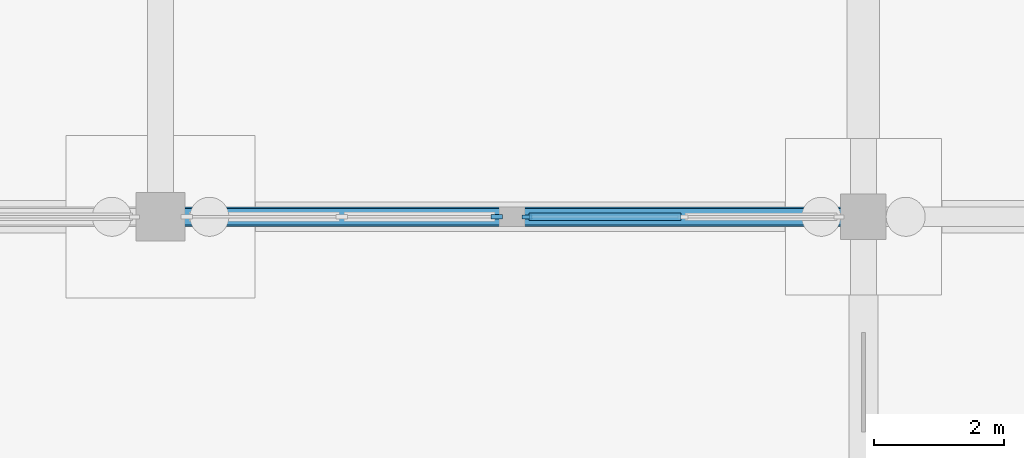
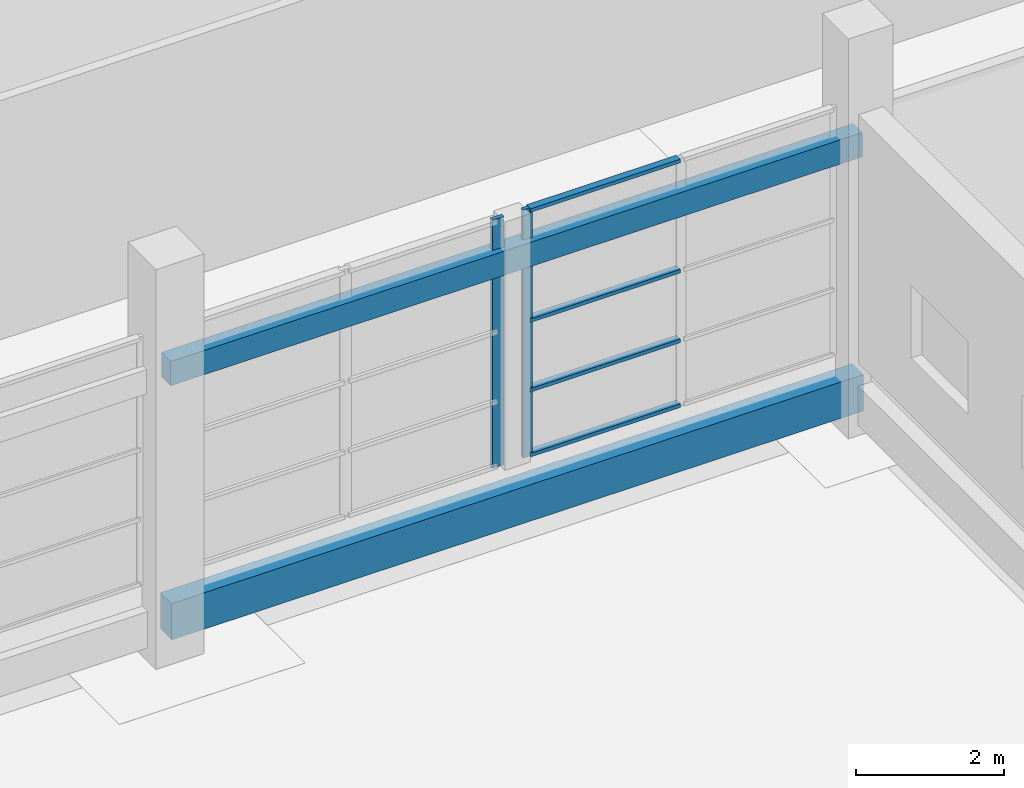
# One storey, part 36 of 138: 6 members, 2 beams, 2 elements without a shape of their own.
"""IFC4 building model written with IfcOpenShell, lengths in metres."""

import ifcopenshell
import ifcopenshell.guid

model = None  # the IFC model being written
_history = None  # IfcOwnerHistory: only IFC2X3 demands one
_inside = {}  # id of a spatial element -> (the spatial element, [elements in it])
_under = {}  # id of a project, library or spatial element -> (it, [spatial elements below it])
_declared = {}  # id of a project -> (the project, [libraries it declares])
_typed = {}  # id of a type object -> (the type object, [elements of that type])
_made_of = {}  # id of a material, layer set ... -> (it, [elements and type objects made of it])


def new_model(schema):
    """Start an empty IFC model of exactly this schema.

    Asked for "IFC4X3", IfcOpenShell would pick the latest addendum, in which some entities
    have other attributes; the version numbers below select the first issue.
    IFC2X3 requires an IfcOwnerHistory on every rooted entity: one is made here for all.
    """
    global model, _history
    if schema == "IFC4X3":
        model = ifcopenshell.file(schema_version=(4, 3, 0, 0))
    else:
        model = ifcopenshell.file(schema=schema)
    _inside.clear()
    _under.clear()
    _declared.clear()
    _typed.clear()
    _made_of.clear()
    _history = None
    if model.schema == "IFC2X3":
        org = make("IfcOrganization", Name="unknown")
        user = make(
            "IfcPersonAndOrganization",
            ThePerson=make("IfcPerson", FamilyName="unknown"),
            TheOrganization=org,
        )
        app = make(
            "IfcApplication",
            ApplicationDeveloper=org,
            Version="unknown",
            ApplicationFullName="unknown",
            ApplicationIdentifier="unknown",
        )
        _history = make(
            "IfcOwnerHistory",
            OwningUser=user,
            OwningApplication=app,
            ChangeAction="ADDED",
            CreationDate=0,
        )
    return model


def make(cls, **values):
    """One entity of the class cls with the attributes given. An attribute that is None is left unset."""
    return model.create_entity(
        cls, **{name: value for name, value in values.items() if value is not None}
    )


def rooted(cls, **values):
    """An entity with a GlobalId (a new one), such as an element, a storey or a relation."""
    return make(cls, GlobalId=ifcopenshell.guid.new(), OwnerHistory=_history, **values)


def si_unit(unit_type, name, prefix=None):
    """IfcSIUnit, for example si_unit("LENGTHUNIT", "METRE", prefix="MILLI")."""
    return make("IfcSIUnit", UnitType=unit_type, Prefix=prefix, Name=name)


def assignment(units):
    """IfcUnitAssignment: the units of a project."""
    return None if units is None else make("IfcUnitAssignment", Units=units)


def point(xyz):
    """IfcCartesianPoint."""
    return None if xyz is None else make("IfcCartesianPoint", Coordinates=xyz)


def direction(xyz):
    """IfcDirection."""
    return None if xyz is None else make("IfcDirection", DirectionRatios=xyz)


def frame(location, z_axis=None, x_axis=None):
    """IfcAxis2Placement3D, a coordinate frame: its origin and axes. An axis left out is left unset."""
    return make(
        "IfcAxis2Placement3D",
        Location=point(location),
        Axis=direction(z_axis),
        RefDirection=direction(x_axis),
    )


def frame_2d(location, x_axis=None):
    """IfcAxis2Placement2D, a coordinate frame in the plane: its origin and x axis."""
    return make(
        "IfcAxis2Placement2D", Location=point(location), RefDirection=direction(x_axis)
    )


def origin():
    """The frame at (0, 0, 0) with its axes left unset."""
    return frame((0.0, 0.0, 0.0))


def origin_2d():
    """The frame at (0, 0) in the plane with its x axis left unset."""
    return frame_2d((0.0, 0.0))


def place(relative_to, where):
    """IfcLocalPlacement: puts the frame where relative to a parent placement (None: the world)."""
    return make(
        "IfcLocalPlacement", PlacementRelTo=relative_to, RelativePlacement=where
    )


def context(
    kind, dimensions, precision=None, world=None, true_north=None, identifier=None
):
    """IfcGeometricRepresentationContext, for example the 3D "Model" context."""
    return make(
        "IfcGeometricRepresentationContext",
        ContextIdentifier=identifier,
        ContextType=kind,
        CoordinateSpaceDimension=dimensions,
        Precision=precision,
        WorldCoordinateSystem=world,
        TrueNorth=true_north,
    )


def subcontext(parent, identifier, kind, view, scale=None):
    """IfcGeometricRepresentationSubContext, for example "Body" below "Model"."""
    return make(
        "IfcGeometricRepresentationSubContext",
        ContextIdentifier=identifier,
        ContextType=kind,
        ParentContext=parent,
        TargetScale=scale,
        TargetView=view,
    )


def project(units=None, contexts=None):
    """IfcProject with its units and contexts."""
    return rooted(
        "IfcProject",
        Name="project",
        RepresentationContexts=contexts,
        UnitsInContext=assignment(units),
    )


def spatial(cls, under=None, at=None, **own):
    """A site, building, storey or space (cls), placed at a placement, below another one or the project."""
    s = rooted(cls, ObjectPlacement=at, **own)
    if under is not None:
        _under.setdefault(under.id(), (under, []))[1].append(s)
    return s


def profile(cls, at=None, kind="AREA", **sizes):
    """A parametric profile (cls). Its sizes go by their IFC names, for example OverallWidth=200.0."""
    return make(cls, ProfileType=kind, Position=at, **sizes)


def rectangle(**sizes):
    """IfcRectangleProfileDef."""
    return profile("IfcRectangleProfileDef", **sizes)


def extrude(swept, where, along, depth):
    """IfcExtrudedAreaSolid: the profile swept, set in the frame where, extruded along a direction by depth."""
    return make(
        "IfcExtrudedAreaSolid",
        SweptArea=swept,
        Position=where,
        ExtrudedDirection=direction(along),
        Depth=depth,
    )


def shape(context_of_items, identifier, shape_type, items):
    """IfcShapeRepresentation: the items that make up one representation, for example the "Body"."""
    return make(
        "IfcShapeRepresentation",
        ContextOfItems=context_of_items,
        RepresentationIdentifier=identifier,
        RepresentationType=shape_type,
        Items=items,
    )


def material(Name=None, Category=None):
    """IfcMaterial."""
    return make("IfcMaterial", Name=Name, Category=Category)


def material_profile(
    of_material, cross_section, Name=None, Category=None, Priority=None
):
    """IfcMaterialProfile: a cross section and its material."""
    return make(
        "IfcMaterialProfile",
        Name=Name,
        Material=of_material,
        Profile=cross_section,
        Priority=Priority,
        Category=Category,
    )


def profile_set(profiles, Name=None, composite=None):
    """IfcMaterialProfileSet."""
    return make(
        "IfcMaterialProfileSet",
        Name=Name,
        MaterialProfiles=profiles,
        CompositeProfile=composite,
    )


def made_of(thing, what):
    """Note that an element or type object is made of a material, layer set ...; save() writes the relation."""
    if what is not None:
        _made_of.setdefault(what.id(), (what, []))[1].append(thing)
    return thing


def type_object(cls, material=None, **own):
    """A type object (cls), such as IfcWallType, which elements share."""
    return made_of(rooted(cls, **own), material)


def element(
    cls,
    number,
    at=None,
    inside=None,
    cuts=None,
    type_object=None,
    material=None,
    context=None,
    identifier="Body",
    shape_type=None,
    held_by="IfcProductDefinitionShape",
    body=None,
    shapes=None,
    **own,
):
    """One element of the class cls, such as IfcWall. Its Tag is "e" and its number.

    at: its placement. inside: the storey or other place that contains it. cuts: it is an
    opening in that element (IfcRelVoidsElement). A single representation is given by context,
    identifier, shape_type and body (its items); several are given by shapes. held_by: the class
    of the entity that holds the representations. save() writes the other relations.
    """
    e = rooted(cls, Tag="e%d" % number, ObjectPlacement=at, **own)
    if body is not None:
        shapes = [shape(context, identifier, shape_type, body)]
    if shapes is not None:
        e.Representation = make(held_by, Representations=shapes)
    if inside is not None:
        _inside.setdefault(inside.id(), (inside, []))[1].append(e)
    if cuts is not None:
        rooted(
            "IfcRelVoidsElement", RelatingBuildingElement=cuts, RelatedOpeningElement=e
        )
    if type_object is not None:
        _typed.setdefault(type_object.id(), (type_object, []))[1].append(e)
    return made_of(e, material)


def aggregate(whole, parts):
    """IfcRelAggregates: a whole, such as a stair, and the parts it consists of."""
    return rooted("IfcRelAggregates", RelatingObject=whole, RelatedObjects=parts)


def save(model, path):
    """Write the relations noted so far, then the file.

    IfcRelAggregates (storeys below a building ...), IfcRelContainedInSpatialStructure (elements
    in a storey), IfcRelDefinesByType, IfcRelAssociatesMaterial and IfcRelDeclares: one each for
    every whole, place, type object, material and project.
    """
    for whole, parts in _under.values():
        aggregate(whole, parts)
    for where, things in _inside.values():
        rooted(
            "IfcRelContainedInSpatialStructure",
            RelatedElements=things,
            RelatingStructure=where,
        )
    for kind, things in _typed.values():
        rooted("IfcRelDefinesByType", RelatedObjects=things, RelatingType=kind)
    for what, things in _made_of.values():
        rooted("IfcRelAssociatesMaterial", RelatedObjects=things, RelatingMaterial=what)
    for by, libraries in _declared.values():
        rooted("IfcRelDeclares", RelatingContext=by, RelatedDefinitions=libraries)
    model.write(path)


model = new_model("IFC4")

# Units and contexts
model_context = context("Model", 3, precision=1e-05, world=origin(), true_north=direction((0.0, 1.0)))
body_context = subcontext(model_context, "Body", "Model", "MODEL_VIEW")
ifc_project = project(units=[si_unit("LENGTHUNIT", "METRE"), si_unit("AREAUNIT", "SQUARE_METRE"), si_unit("VOLUMEUNIT", "CUBIC_METRE"), si_unit("PLANEANGLEUNIT", "RADIAN"), si_unit("MASSUNIT", "GRAM", prefix="KILO")], contexts=[model_context])

# Site, building, storey
site_placement = place(None, origin())
site = spatial("IfcSite", under=ifc_project, at=site_placement, CompositionType="ELEMENT")
building_placement = place(site_placement, origin())
building = spatial("IfcBuilding", under=site, at=building_placement, Name="Zwinboog Wholesale Market", CompositionType="ELEMENT")
storey_placement = place(building_placement, origin())
storey = spatial("IfcBuildingStorey", under=building, at=storey_placement, Name="L00", CompositionType="ELEMENT", Elevation=0.0)

# Beams
ifc_material_1 = material(Name="Precast concrete C45/55", Category="concrete")
ifc_material_profile_1 = material_profile(ifc_material_1, rectangle(XDim=0.300048828125, YDim=0.60009765625, at=origin_2d()), Name="PC 300x600")
ifc_profile_set_1 = profile_set([ifc_material_profile_1], Name="Precast concrete C45/55")
beam_type_1 = type_object("IfcBeamType", Name="BT-09", PredefinedType="SPANDREL", material=ifc_profile_set_1)
beam_1_placement = place(storey_placement, frame((118.800048828125, 43.199951171875, -0.679931640625), z_axis=(1.0, 0.0, 0.0), x_axis=(0.0, 1.0, 0.0)))
element("IfcBeam", 1, at=beam_1_placement, inside=storey, type_object=beam_type_1, Name="SP-02 (BMG-L00-1188-0432-0064)", PredefinedType="SPANDREL", context=body_context, shape_type="SweptSolid", body=[
    extrude(rectangle(XDim=0.300048828125, YDim=0.60009765625, at=origin_2d()), origin(), (0.0, 0.0, 1.0), 10.800048828125),
])
ifc_material_profile_2 = material_profile(ifc_material_1, rectangle(XDim=0.25, YDim=0.39990234375, at=origin_2d()), Name="PC 250x400")
ifc_profile_set_2 = profile_set([ifc_material_profile_2], Name="Precast concrete C45/55")
beam_type_2 = type_object("IfcBeamType", Name="BT-11", PredefinedType="LINTEL", material=ifc_profile_set_2)
beam_2_placement = place(storey_placement, frame((118.800048828125, 43.199951171875, 3.39990234375), z_axis=(1.0, 0.0, 0.0), x_axis=(0.0, 1.0, 0.0)))
element("IfcBeam", 2, at=beam_2_placement, inside=storey, type_object=beam_type_2, Name="BL-01 (BMG-L00-1188-0432-1056)", PredefinedType="LINTEL", context=body_context, shape_type="SweptSolid", body=[
    extrude(rectangle(XDim=0.25, YDim=0.39990234375, at=origin_2d()), origin(), (0.0, 0.0, 1.0), 10.800048828125),
])

# Curtain wall, member
ifc_material_2 = material(Name="Aluminium thermally broken curtain wall", Category="aluminium")
curtain_wall_type_1 = type_object("IfcCurtainWallType", Name="CWT-STALL-18", PredefinedType="USERDEFINED", material=ifc_material_2)
curtain_wall_1_placement = place(storey_placement, origin())
curtain_wall_1 = element("IfcCurtainWall", 3, at=curtain_wall_1_placement, inside=storey, type_object=curtain_wall_type_1, Name="CW-01 (CW-L00-043)", ObjectType="STOREFRONT_GLAZING", PredefinedType="USERDEFINED")
ifc_material_3 = material(Name="Aluminium EN AW-6060", Category="aluminium")
ifc_material_profile_3 = material_profile(ifc_material_3, rectangle(XDim=0.06494140625, YDim=0.179931640625, at=origin_2d()), Name="AL 65x180")
ifc_profile_set_3 = profile_set([ifc_material_profile_3], Name="Aluminium EN AW-6060")
member_type_1 = type_object("IfcMemberType", Name="CWM-65x180", PredefinedType="MULLION", material=ifc_profile_set_3)
member_1_placement = place(storey_placement, frame((123.967529296875, 43.199951171875, 0.0), z_axis=(0.0, 0.0, 1.0), x_axis=(0.0, 1.0, 0.0)))
member_1 = element("IfcMember", 4, at=member_1_placement, type_object=member_type_1, Name="CW-01 mullion 3", PredefinedType="MULLION", context=body_context, shape_type="SweptSolid", body=[
    extrude(rectangle(XDim=0.06494140625, YDim=0.179931640625, at=origin_2d()), origin(), (0.0, 0.0, 1.0), 4.097900390625),
])
aggregate(curtain_wall_1, [member_1])

# Curtain wall, members
curtain_wall_type_2 = type_object("IfcCurtainWallType", Name="CWT-STALL-20", PredefinedType="USERDEFINED", material=ifc_material_2)
curtain_wall_2_placement = place(storey_placement, origin())
curtain_wall_2 = element("IfcCurtainWall", 5, at=curtain_wall_2_placement, inside=storey, type_object=curtain_wall_type_2, Name="CW-02 (CW-L00-044)", ObjectType="STOREFRONT_GLAZING", PredefinedType="USERDEFINED")
ifc_material_profile_4 = material_profile(ifc_material_3, rectangle(XDim=0.06005859375, YDim=0.14990234375, at=origin_2d()), Name="AL 60x150")
ifc_profile_set_4 = profile_set([ifc_material_profile_4], Name="Aluminium EN AW-6060")
member_type_2 = type_object("IfcMemberType", Name="CWM-60x150", PredefinedType="MULLION", material=ifc_profile_set_4)
member_2_placement = place(storey_placement, frame((124.429931640625, 43.199951171875, 0.0), z_axis=(0.0, 0.0, 1.0), x_axis=(0.0, 1.0, 0.0)))
member_2 = element("IfcMember", 6, at=member_2_placement, type_object=member_type_2, Name="CW-02 mullion 1", PredefinedType="MULLION", context=body_context, shape_type="SweptSolid", body=[
    extrude(rectangle(XDim=0.06005859375, YDim=0.14990234375, at=origin_2d()), origin(), (0.0, 0.0, 1.0), 4.097900390625),
])
ifc_material_profile_5 = material_profile(ifc_material_3, rectangle(XDim=0.110107421875, YDim=0.06005859375, at=origin_2d()), Name="AL 60x110")
ifc_profile_set_5 = profile_set([ifc_material_profile_5], Name="Aluminium EN AW-6060")
member_type_3 = type_object("IfcMemberType", Name="CWT-60x110", PredefinedType="USERDEFINED", material=ifc_profile_set_5)
member_3_placement = place(storey_placement, frame((124.4599609375, 43.199951171875, 0.030029296875), z_axis=(1.0, 0.0, 0.0), x_axis=(0.0, 1.0, 0.0)))
member_3 = element("IfcMember", 7, at=member_3_placement, type_object=member_type_3, Name="CW-02 transom 1.1", ObjectType="TRANSOM", PredefinedType="USERDEFINED", context=body_context, shape_type="SweptSolid", body=[
    extrude(rectangle(XDim=0.110107421875, YDim=0.06005859375, at=origin_2d()), origin(), (0.0, 0.0, 1.0), 2.337646484375),
])
member_4_placement = place(storey_placement, frame((124.4599609375, 43.199951171875, 1.10009765625), z_axis=(1.0, 0.0, 0.0), x_axis=(0.0, 1.0, 0.0)))
member_4 = element("IfcMember", 8, at=member_4_placement, type_object=member_type_3, Name="CW-02 transom 1.2", ObjectType="TRANSOM", PredefinedType="USERDEFINED", context=body_context, shape_type="SweptSolid", body=[
    extrude(rectangle(XDim=0.110107421875, YDim=0.06005859375, at=origin_2d()), origin(), (0.0, 0.0, 1.0), 2.337646484375),
])
member_5_placement = place(storey_placement, frame((124.4599609375, 43.199951171875, 2.25), z_axis=(1.0, 0.0, 0.0), x_axis=(0.0, 1.0, 0.0)))
member_5 = element("IfcMember", 9, at=member_5_placement, type_object=member_type_3, Name="CW-02 transom 1.3", ObjectType="TRANSOM", PredefinedType="USERDEFINED", context=body_context, shape_type="SweptSolid", body=[
    extrude(rectangle(XDim=0.110107421875, YDim=0.06005859375, at=origin_2d()), origin(), (0.0, 0.0, 1.0), 2.337646484375),
])
member_6_placement = place(storey_placement, frame((124.4599609375, 43.199951171875, 4.068115234375), z_axis=(1.0, 0.0, 0.0), x_axis=(0.0, 1.0, 0.0)))
member_6 = element("IfcMember", 10, at=member_6_placement, type_object=member_type_3, Name="CW-02 transom 1.4", ObjectType="TRANSOM", PredefinedType="USERDEFINED", context=body_context, shape_type="SweptSolid", body=[
    extrude(rectangle(XDim=0.110107421875, YDim=0.06005859375, at=origin_2d()), origin(), (0.0, 0.0, 1.0), 2.337646484375),
])
aggregate(curtain_wall_2, [member_2, member_3, member_4, member_5, member_6])

save(model, "model.ifc")
